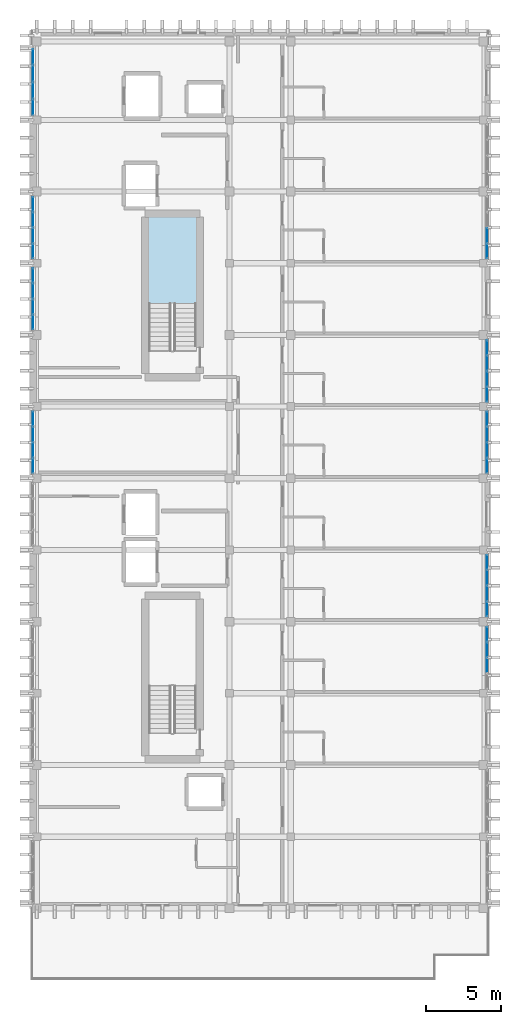
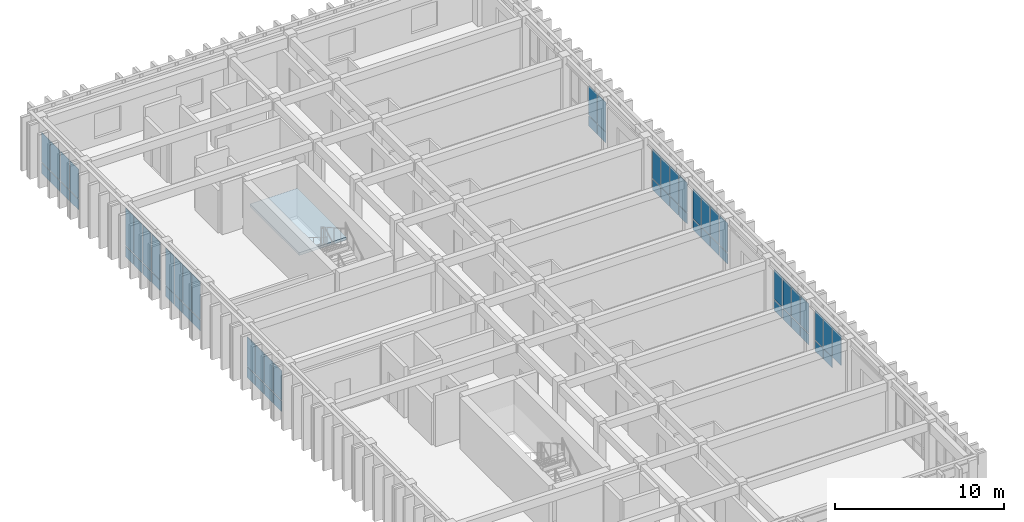
# One storey, part 38 of 49: 65 plates, 1 slab, 10 elements without a shape of their own.
"""IFC4 building model written with IfcOpenShell, lengths in metres."""

from ifc_helpers import new_model, si_unit, direction, frame, origin, origin_2d, place, context, subcontext, project, spatial, polyline, rectangle, outline, extrude, material, layer, layer_set, type_object, element, aggregate, save


model = new_model("IFC4")

# Units and contexts
model_context = context("Model", 3, precision=1e-05, world=origin(), true_north=direction((0.0, 1.0)))
body_context = subcontext(model_context, "Body", "Model", "MODEL_VIEW")
ifc_project = project(units=[si_unit("LENGTHUNIT", "METRE"), si_unit("AREAUNIT", "SQUARE_METRE"), si_unit("VOLUMEUNIT", "CUBIC_METRE"), si_unit("PLANEANGLEUNIT", "RADIAN"), si_unit("MASSUNIT", "GRAM", prefix="KILO")], contexts=[model_context])

# Site, building, storey
site_placement = place(None, origin())
site = spatial("IfcSite", under=ifc_project, at=site_placement, CompositionType="ELEMENT")
building_placement = place(site_placement, origin())
building = spatial("IfcBuilding", under=site, at=building_placement, Name="Nakhvara Creek Congress Hotel", CompositionType="ELEMENT")
storey_placement = place(building_placement, frame((0.0, 0.0, 46.5)))
storey = spatial("IfcBuildingStorey", under=building, at=storey_placement, Name="L11", CompositionType="ELEMENT", Elevation=46.5)

# Curtain wall, plates
ifc_material_1 = material(Name="Bronze-anodised aluminium AW-6063-T6 and double-silver low-E glass", Category="aluminium")
ifc_layer_1 = layer(ifc_material_1, 0.199951171875)
ifc_layer_set_1 = layer_set([ifc_layer_1], Name="Bronze-anodised aluminium AW-6063-T6 and double-silver low-E glass")
curtain_wall_type = type_object("IfcCurtainWallType", Name="CW-HTL-UNIT", PredefinedType="USERDEFINED", material=ifc_layer_set_1)
curtain_wall_1_placement = place(storey_placement, origin())
curtain_wall_1 = element("IfcCurtainWall", 1, at=curtain_wall_1_placement, inside=storey, type_object=curtain_wall_type, Name="Curtain Wall CW336", ObjectType="UNITISED", PredefinedType="USERDEFINED")
ifc_material_2 = material(Name="Double-silver solar-control low-E insulated glass", Category="glass")
plate_type_1 = type_object("IfcPlateType", Name="PNL-GLZ-120X250", PredefinedType="CURTAIN_PANEL", material=ifc_material_2)
plate_1_placement = place(storey_placement, frame((179.60009765625, 85.55126953125, 0.06494140625), z_axis=(0.0, 0.0, 1.0), x_axis=(0.0, -1.0, 0.0)))
plate_1 = element("IfcPlate", 2, at=plate_1_placement, type_object=plate_type_1, Name="CW336 panel 1.1", PredefinedType="CURTAIN_PANEL", context=body_context, shape_type="SweptSolid", body=[
    extrude(rectangle(XDim=0.95751953125, YDim=0.028076171875, at=origin_2d()), origin(), (0.0, 0.0, 1.0), 0.75244140625),
])
plate_2_placement = place(storey_placement, frame((179.60009765625, 85.55126953125, 0.882568359375), z_axis=(0.0, 0.0, 1.0), x_axis=(0.0, -1.0, 0.0)))
plate_2 = element("IfcPlate", 3, at=plate_2_placement, type_object=plate_type_1, Name="CW336 panel 1.2", PredefinedType="CURTAIN_PANEL", context=body_context, shape_type="SweptSolid", body=[
    extrude(rectangle(XDim=0.95751953125, YDim=0.028076171875, at=origin_2d()), origin(), (0.0, 0.0, 1.0), 2.12451171875),
])
plate_3_placement = place(storey_placement, frame((179.60009765625, 84.512451171875, 0.06494140625), z_axis=(0.0, 0.0, 1.0), x_axis=(0.0, -1.0, 0.0)))
plate_3 = element("IfcPlate", 4, at=plate_3_placement, type_object=plate_type_1, Name="CW336 panel 2.1", PredefinedType="CURTAIN_PANEL", context=body_context, shape_type="SweptSolid", body=[
    extrude(rectangle(XDim=0.989990234375, YDim=0.028076171875, at=origin_2d()), origin(), (0.0, 0.0, 1.0), 0.75244140625),
])
plate_4_placement = place(storey_placement, frame((179.60009765625, 84.512451171875, 0.882568359375), z_axis=(0.0, 0.0, 1.0), x_axis=(0.0, -1.0, 0.0)))
plate_4 = element("IfcPlate", 5, at=plate_4_placement, type_object=plate_type_1, Name="CW336 panel 2.2", PredefinedType="CURTAIN_PANEL", context=body_context, shape_type="SweptSolid", body=[
    extrude(rectangle(XDim=0.989990234375, YDim=0.028076171875, at=origin_2d()), origin(), (0.0, 0.0, 1.0), 2.12451171875),
])
plate_5_placement = place(storey_placement, frame((179.60009765625, 83.45751953125, 0.882568359375), z_axis=(0.0, 0.0, 1.0), x_axis=(0.0, -1.0, 0.0)))
plate_5 = element("IfcPlate", 6, at=plate_5_placement, type_object=plate_type_1, Name="CW336 panel 3.2", PredefinedType="CURTAIN_PANEL", context=body_context, shape_type="SweptSolid", body=[
    extrude(rectangle(XDim=0.989990234375, YDim=0.028076171875, at=origin_2d()), origin(), (0.0, 0.0, 1.0), 2.12451171875),
])
aggregate(curtain_wall_1, [plate_1, plate_2, plate_3, plate_4, plate_5])

curtain_wall_2_placement = place(storey_placement, origin())
curtain_wall_2 = element("IfcCurtainWall", 7, at=curtain_wall_2_placement, inside=storey, type_object=curtain_wall_type, Name="Curtain Wall CW338", ObjectType="UNITISED", PredefinedType="USERDEFINED")
plate_6_placement = place(storey_placement, frame((179.60009765625, 90.38134765625, 0.06494140625), z_axis=(0.0, 0.0, 1.0), x_axis=(0.0, -1.0, 0.0)))
plate_6 = element("IfcPlate", 8, at=plate_6_placement, type_object=plate_type_1, Name="CW338 panel 1.1", PredefinedType="CURTAIN_PANEL", context=body_context, shape_type="SweptSolid", body=[
    extrude(rectangle(XDim=0.95751953125, YDim=0.028076171875, at=origin_2d()), origin(), (0.0, 0.0, 1.0), 0.75244140625),
])
plate_7_placement = place(storey_placement, frame((179.60009765625, 90.38134765625, 0.882568359375), z_axis=(0.0, 0.0, 1.0), x_axis=(0.0, -1.0, 0.0)))
plate_7 = element("IfcPlate", 9, at=plate_7_placement, type_object=plate_type_1, Name="CW338 panel 1.2", PredefinedType="CURTAIN_PANEL", context=body_context, shape_type="SweptSolid", body=[
    extrude(rectangle(XDim=0.95751953125, YDim=0.028076171875, at=origin_2d()), origin(), (0.0, 0.0, 1.0), 2.12451171875),
])
plate_8_placement = place(storey_placement, frame((179.60009765625, 89.342529296875, 0.06494140625), z_axis=(0.0, 0.0, 1.0), x_axis=(0.0, -1.0, 0.0)))
plate_8 = element("IfcPlate", 10, at=plate_8_placement, type_object=plate_type_1, Name="CW338 panel 2.1", PredefinedType="CURTAIN_PANEL", context=body_context, shape_type="SweptSolid", body=[
    extrude(rectangle(XDim=0.989990234375, YDim=0.028076171875, at=origin_2d()), origin(), (0.0, 0.0, 1.0), 0.75244140625),
])
plate_9_placement = place(storey_placement, frame((179.60009765625, 89.342529296875, 0.882568359375), z_axis=(0.0, 0.0, 1.0), x_axis=(0.0, -1.0, 0.0)))
plate_9 = element("IfcPlate", 11, at=plate_9_placement, type_object=plate_type_1, Name="CW338 panel 2.2", PredefinedType="CURTAIN_PANEL", context=body_context, shape_type="SweptSolid", body=[
    extrude(rectangle(XDim=0.989990234375, YDim=0.028076171875, at=origin_2d()), origin(), (0.0, 0.0, 1.0), 2.12451171875),
])
plate_10_placement = place(storey_placement, frame((179.60009765625, 88.28759765625, 0.06494140625), z_axis=(0.0, 0.0, 1.0), x_axis=(0.0, -1.0, 0.0)))
plate_10 = element("IfcPlate", 12, at=plate_10_placement, type_object=plate_type_1, Name="CW338 panel 3.1", PredefinedType="CURTAIN_PANEL", context=body_context, shape_type="SweptSolid", body=[
    extrude(rectangle(XDim=0.989990234375, YDim=0.028076171875, at=origin_2d()), origin(), (0.0, 0.0, 1.0), 0.75244140625),
])
plate_11_placement = place(storey_placement, frame((179.60009765625, 88.28759765625, 0.882568359375), z_axis=(0.0, 0.0, 1.0), x_axis=(0.0, -1.0, 0.0)))
plate_11 = element("IfcPlate", 13, at=plate_11_placement, type_object=plate_type_1, Name="CW338 panel 3.2", PredefinedType="CURTAIN_PANEL", context=body_context, shape_type="SweptSolid", body=[
    extrude(rectangle(XDim=0.989990234375, YDim=0.028076171875, at=origin_2d()), origin(), (0.0, 0.0, 1.0), 2.12451171875),
])
plate_12_placement = place(storey_placement, frame((179.60009765625, 87.248779296875, 0.06494140625), z_axis=(0.0, 0.0, 1.0), x_axis=(0.0, -1.0, 0.0)))
plate_12 = element("IfcPlate", 14, at=plate_12_placement, type_object=plate_type_1, Name="CW338 panel 4.1", PredefinedType="CURTAIN_PANEL", context=body_context, shape_type="SweptSolid", body=[
    extrude(rectangle(XDim=0.95751953125, YDim=0.028076171875, at=origin_2d()), origin(), (0.0, 0.0, 1.0), 0.75244140625),
])
plate_13_placement = place(storey_placement, frame((179.60009765625, 87.248779296875, 0.882568359375), z_axis=(0.0, 0.0, 1.0), x_axis=(0.0, -1.0, 0.0)))
plate_13 = element("IfcPlate", 15, at=plate_13_placement, type_object=plate_type_1, Name="CW338 panel 4.2", PredefinedType="CURTAIN_PANEL", context=body_context, shape_type="SweptSolid", body=[
    extrude(rectangle(XDim=0.95751953125, YDim=0.028076171875, at=origin_2d()), origin(), (0.0, 0.0, 1.0), 2.12451171875),
])
aggregate(curtain_wall_2, [plate_6, plate_7, plate_8, plate_9, plate_10, plate_11, plate_12, plate_13])

curtain_wall_3_placement = place(storey_placement, origin())
curtain_wall_3 = element("IfcCurtainWall", 16, at=curtain_wall_3_placement, inside=storey, type_object=curtain_wall_type, Name="Curtain Wall CW340", ObjectType="UNITISED", PredefinedType="USERDEFINED")
plate_14_placement = place(storey_placement, frame((179.60009765625, 99.981201171875, 0.06494140625), z_axis=(0.0, 0.0, 1.0), x_axis=(0.0, -1.0, 0.0)))
plate_14 = element("IfcPlate", 17, at=plate_14_placement, type_object=plate_type_1, Name="CW340 panel 1.1", PredefinedType="CURTAIN_PANEL", context=body_context, shape_type="SweptSolid", body=[
    extrude(rectangle(XDim=0.95751953125, YDim=0.028076171875, at=origin_2d()), origin(), (0.0, 0.0, 1.0), 0.75244140625),
])
plate_15_placement = place(storey_placement, frame((179.60009765625, 99.981201171875, 0.882568359375), z_axis=(0.0, 0.0, 1.0), x_axis=(0.0, -1.0, 0.0)))
plate_15 = element("IfcPlate", 18, at=plate_15_placement, type_object=plate_type_1, Name="CW340 panel 1.2", PredefinedType="CURTAIN_PANEL", context=body_context, shape_type="SweptSolid", body=[
    extrude(rectangle(XDim=0.95751953125, YDim=0.028076171875, at=origin_2d()), origin(), (0.0, 0.0, 1.0), 2.12451171875),
])
plate_16_placement = place(storey_placement, frame((179.60009765625, 98.9423828125, 0.06494140625), z_axis=(0.0, 0.0, 1.0), x_axis=(0.0, -1.0, 0.0)))
plate_16 = element("IfcPlate", 19, at=plate_16_placement, type_object=plate_type_1, Name="CW340 panel 2.1", PredefinedType="CURTAIN_PANEL", context=body_context, shape_type="SweptSolid", body=[
    extrude(rectangle(XDim=0.989990234375, YDim=0.028076171875, at=origin_2d()), origin(), (0.0, 0.0, 1.0), 0.75244140625),
])
plate_17_placement = place(storey_placement, frame((179.60009765625, 98.9423828125, 0.882568359375), z_axis=(0.0, 0.0, 1.0), x_axis=(0.0, -1.0, 0.0)))
plate_17 = element("IfcPlate", 20, at=plate_17_placement, type_object=plate_type_1, Name="CW340 panel 2.2", PredefinedType="CURTAIN_PANEL", context=body_context, shape_type="SweptSolid", body=[
    extrude(rectangle(XDim=0.989990234375, YDim=0.028076171875, at=origin_2d()), origin(), (0.0, 0.0, 1.0), 2.12451171875),
])
plate_18_placement = place(storey_placement, frame((179.60009765625, 97.887451171875, 0.06494140625), z_axis=(0.0, 0.0, 1.0), x_axis=(0.0, -1.0, 0.0)))
plate_18 = element("IfcPlate", 21, at=plate_18_placement, type_object=plate_type_1, Name="CW340 panel 3.1", PredefinedType="CURTAIN_PANEL", context=body_context, shape_type="SweptSolid", body=[
    extrude(rectangle(XDim=0.989990234375, YDim=0.028076171875, at=origin_2d()), origin(), (0.0, 0.0, 1.0), 0.75244140625),
])
plate_19_placement = place(storey_placement, frame((179.60009765625, 97.887451171875, 0.882568359375), z_axis=(0.0, 0.0, 1.0), x_axis=(0.0, -1.0, 0.0)))
plate_19 = element("IfcPlate", 22, at=plate_19_placement, type_object=plate_type_1, Name="CW340 panel 3.2", PredefinedType="CURTAIN_PANEL", context=body_context, shape_type="SweptSolid", body=[
    extrude(rectangle(XDim=0.989990234375, YDim=0.028076171875, at=origin_2d()), origin(), (0.0, 0.0, 1.0), 2.12451171875),
])
plate_20_placement = place(storey_placement, frame((179.60009765625, 96.8486328125, 0.06494140625), z_axis=(0.0, 0.0, 1.0), x_axis=(0.0, -1.0, 0.0)))
plate_20 = element("IfcPlate", 23, at=plate_20_placement, type_object=plate_type_1, Name="CW340 panel 4.1", PredefinedType="CURTAIN_PANEL", context=body_context, shape_type="SweptSolid", body=[
    extrude(rectangle(XDim=0.95751953125, YDim=0.028076171875, at=origin_2d()), origin(), (0.0, 0.0, 1.0), 0.75244140625),
])
plate_21_placement = place(storey_placement, frame((179.60009765625, 96.8486328125, 0.882568359375), z_axis=(0.0, 0.0, 1.0), x_axis=(0.0, -1.0, 0.0)))
plate_21 = element("IfcPlate", 24, at=plate_21_placement, type_object=plate_type_1, Name="CW340 panel 4.2", PredefinedType="CURTAIN_PANEL", context=body_context, shape_type="SweptSolid", body=[
    extrude(rectangle(XDim=0.95751953125, YDim=0.028076171875, at=origin_2d()), origin(), (0.0, 0.0, 1.0), 2.12451171875),
])
aggregate(curtain_wall_3, [plate_14, plate_15, plate_16, plate_17, plate_18, plate_19, plate_20, plate_21])

curtain_wall_4_placement = place(storey_placement, origin())
curtain_wall_4 = element("IfcCurtainWall", 25, at=curtain_wall_4_placement, inside=storey, type_object=curtain_wall_type, Name="Curtain Wall CW341", ObjectType="UNITISED", PredefinedType="USERDEFINED")
plate_22_placement = place(storey_placement, frame((149.199951171875, 96.8486328125, 0.06494140625), z_axis=(0.0, 0.0, 1.0), x_axis=(0.0, 1.0, 0.0)))
plate_22 = element("IfcPlate", 26, at=plate_22_placement, type_object=plate_type_1, Name="CW341 panel 1.1", PredefinedType="CURTAIN_PANEL", context=body_context, shape_type="SweptSolid", body=[
    extrude(rectangle(XDim=0.95751953125, YDim=0.028076171875, at=origin_2d()), origin(), (0.0, 0.0, 1.0), 0.75244140625),
])
plate_23_placement = place(storey_placement, frame((149.199951171875, 96.8486328125, 0.882568359375), z_axis=(0.0, 0.0, 1.0), x_axis=(0.0, 1.0, 0.0)))
plate_23 = element("IfcPlate", 27, at=plate_23_placement, type_object=plate_type_1, Name="CW341 panel 1.2", PredefinedType="CURTAIN_PANEL", context=body_context, shape_type="SweptSolid", body=[
    extrude(rectangle(XDim=0.95751953125, YDim=0.028076171875, at=origin_2d()), origin(), (0.0, 0.0, 1.0), 2.12451171875),
])
plate_24_placement = place(storey_placement, frame((149.199951171875, 97.887451171875, 0.06494140625), z_axis=(0.0, 0.0, 1.0), x_axis=(0.0, 1.0, 0.0)))
plate_24 = element("IfcPlate", 28, at=plate_24_placement, type_object=plate_type_1, Name="CW341 panel 2.1", PredefinedType="CURTAIN_PANEL", context=body_context, shape_type="SweptSolid", body=[
    extrude(rectangle(XDim=0.989990234375, YDim=0.028076171875, at=origin_2d()), origin(), (0.0, 0.0, 1.0), 0.75244140625),
])
plate_25_placement = place(storey_placement, frame((149.199951171875, 97.887451171875, 0.882568359375), z_axis=(0.0, 0.0, 1.0), x_axis=(0.0, 1.0, 0.0)))
plate_25 = element("IfcPlate", 29, at=plate_25_placement, type_object=plate_type_1, Name="CW341 panel 2.2", PredefinedType="CURTAIN_PANEL", context=body_context, shape_type="SweptSolid", body=[
    extrude(rectangle(XDim=0.989990234375, YDim=0.028076171875, at=origin_2d()), origin(), (0.0, 0.0, 1.0), 2.12451171875),
])
plate_26_placement = place(storey_placement, frame((149.199951171875, 98.9423828125, 0.06494140625), z_axis=(0.0, 0.0, 1.0), x_axis=(0.0, 1.0, 0.0)))
plate_26 = element("IfcPlate", 30, at=plate_26_placement, type_object=plate_type_1, Name="CW341 panel 3.1", PredefinedType="CURTAIN_PANEL", context=body_context, shape_type="SweptSolid", body=[
    extrude(rectangle(XDim=0.989990234375, YDim=0.028076171875, at=origin_2d()), origin(), (0.0, 0.0, 1.0), 0.75244140625),
])
plate_27_placement = place(storey_placement, frame((149.199951171875, 98.9423828125, 0.882568359375), z_axis=(0.0, 0.0, 1.0), x_axis=(0.0, 1.0, 0.0)))
plate_27 = element("IfcPlate", 31, at=plate_27_placement, type_object=plate_type_1, Name="CW341 panel 3.2", PredefinedType="CURTAIN_PANEL", context=body_context, shape_type="SweptSolid", body=[
    extrude(rectangle(XDim=0.989990234375, YDim=0.028076171875, at=origin_2d()), origin(), (0.0, 0.0, 1.0), 2.12451171875),
])
plate_28_placement = place(storey_placement, frame((149.199951171875, 99.981201171875, 0.06494140625), z_axis=(0.0, 0.0, 1.0), x_axis=(0.0, 1.0, 0.0)))
plate_28 = element("IfcPlate", 32, at=plate_28_placement, type_object=plate_type_1, Name="CW341 panel 4.1", PredefinedType="CURTAIN_PANEL", context=body_context, shape_type="SweptSolid", body=[
    extrude(rectangle(XDim=0.95751953125, YDim=0.028076171875, at=origin_2d()), origin(), (0.0, 0.0, 1.0), 0.75244140625),
])
plate_29_placement = place(storey_placement, frame((149.199951171875, 99.981201171875, 0.882568359375), z_axis=(0.0, 0.0, 1.0), x_axis=(0.0, 1.0, 0.0)))
plate_29 = element("IfcPlate", 33, at=plate_29_placement, type_object=plate_type_1, Name="CW341 panel 4.2", PredefinedType="CURTAIN_PANEL", context=body_context, shape_type="SweptSolid", body=[
    extrude(rectangle(XDim=0.95751953125, YDim=0.028076171875, at=origin_2d()), origin(), (0.0, 0.0, 1.0), 2.12451171875),
])
aggregate(curtain_wall_4, [plate_22, plate_23, plate_24, plate_25, plate_26, plate_27, plate_28, plate_29])

curtain_wall_5_placement = place(storey_placement, origin())
curtain_wall_5 = element("IfcCurtainWall", 34, at=curtain_wall_5_placement, inside=storey, type_object=curtain_wall_type, Name="Curtain Wall CW343", ObjectType="UNITISED", PredefinedType="USERDEFINED")
plate_30_placement = place(storey_placement, frame((149.199951171875, 106.44873046875, 0.06494140625), z_axis=(0.0, 0.0, 1.0), x_axis=(0.0, 1.0, 0.0)))
plate_30 = element("IfcPlate", 35, at=plate_30_placement, type_object=plate_type_1, Name="CW343 panel 1.1", PredefinedType="CURTAIN_PANEL", context=body_context, shape_type="SweptSolid", body=[
    extrude(rectangle(XDim=0.95751953125, YDim=0.028076171875, at=origin_2d()), origin(), (0.0, 0.0, 1.0), 0.75244140625),
])
plate_31_placement = place(storey_placement, frame((149.199951171875, 106.44873046875, 0.88232421875), z_axis=(0.0, 0.0, 1.0), x_axis=(0.0, 1.0, 0.0)))
plate_31 = element("IfcPlate", 36, at=plate_31_placement, type_object=plate_type_1, Name="CW343 panel 1.2", PredefinedType="CURTAIN_PANEL", context=body_context, shape_type="SweptSolid", body=[
    extrude(rectangle(XDim=0.95751953125, YDim=0.028076171875, at=origin_2d()), origin(), (0.0, 0.0, 1.0), 2.702392578125),
])
plate_32_placement = place(storey_placement, frame((149.199951171875, 107.487548828125, 0.06494140625), z_axis=(0.0, 0.0, 1.0), x_axis=(0.0, 1.0, 0.0)))
plate_32 = element("IfcPlate", 37, at=plate_32_placement, type_object=plate_type_1, Name="CW343 panel 2.1", PredefinedType="CURTAIN_PANEL", context=body_context, shape_type="SweptSolid", body=[
    extrude(rectangle(XDim=0.989990234375, YDim=0.028076171875, at=origin_2d()), origin(), (0.0, 0.0, 1.0), 0.75244140625),
])
plate_33_placement = place(storey_placement, frame((149.199951171875, 107.487548828125, 0.88232421875), z_axis=(0.0, 0.0, 1.0), x_axis=(0.0, 1.0, 0.0)))
plate_33 = element("IfcPlate", 38, at=plate_33_placement, type_object=plate_type_1, Name="CW343 panel 2.2", PredefinedType="CURTAIN_PANEL", context=body_context, shape_type="SweptSolid", body=[
    extrude(rectangle(XDim=0.989990234375, YDim=0.028076171875, at=origin_2d()), origin(), (0.0, 0.0, 1.0), 2.702392578125),
])
plate_34_placement = place(storey_placement, frame((149.199951171875, 108.54248046875, 0.06494140625), z_axis=(0.0, 0.0, 1.0), x_axis=(0.0, 1.0, 0.0)))
plate_34 = element("IfcPlate", 39, at=plate_34_placement, type_object=plate_type_1, Name="CW343 panel 3.1", PredefinedType="CURTAIN_PANEL", context=body_context, shape_type="SweptSolid", body=[
    extrude(rectangle(XDim=0.989990234375, YDim=0.028076171875, at=origin_2d()), origin(), (0.0, 0.0, 1.0), 0.75244140625),
])
plate_35_placement = place(storey_placement, frame((149.199951171875, 108.54248046875, 0.88232421875), z_axis=(0.0, 0.0, 1.0), x_axis=(0.0, 1.0, 0.0)))
plate_35 = element("IfcPlate", 40, at=plate_35_placement, type_object=plate_type_1, Name="CW343 panel 3.2", PredefinedType="CURTAIN_PANEL", context=body_context, shape_type="SweptSolid", body=[
    extrude(rectangle(XDim=0.989990234375, YDim=0.028076171875, at=origin_2d()), origin(), (0.0, 0.0, 1.0), 2.702392578125),
])
plate_36_placement = place(storey_placement, frame((149.199951171875, 109.581298828125, 0.06494140625), z_axis=(0.0, 0.0, 1.0), x_axis=(0.0, 1.0, 0.0)))
plate_36 = element("IfcPlate", 41, at=plate_36_placement, type_object=plate_type_1, Name="CW343 panel 4.1", PredefinedType="CURTAIN_PANEL", context=body_context, shape_type="SweptSolid", body=[
    extrude(rectangle(XDim=0.95751953125, YDim=0.028076171875, at=origin_2d()), origin(), (0.0, 0.0, 1.0), 0.75244140625),
])
plate_37_placement = place(storey_placement, frame((149.199951171875, 109.581298828125, 0.88232421875), z_axis=(0.0, 0.0, 1.0), x_axis=(0.0, 1.0, 0.0)))
plate_37 = element("IfcPlate", 42, at=plate_37_placement, type_object=plate_type_1, Name="CW343 panel 4.2", PredefinedType="CURTAIN_PANEL", context=body_context, shape_type="SweptSolid", body=[
    extrude(rectangle(XDim=0.95751953125, YDim=0.028076171875, at=origin_2d()), origin(), (0.0, 0.0, 1.0), 2.702392578125),
])
aggregate(curtain_wall_5, [plate_30, plate_31, plate_32, plate_33, plate_34, plate_35, plate_36, plate_37])

curtain_wall_6_placement = place(storey_placement, origin())
curtain_wall_6 = element("IfcCurtainWall", 43, at=curtain_wall_6_placement, inside=storey, type_object=curtain_wall_type, Name="Curtain Wall CW344", ObjectType="UNITISED", PredefinedType="USERDEFINED")
plate_38_placement = place(storey_placement, frame((179.60009765625, 112.257568359375, 0.06494140625), z_axis=(0.0, 0.0, 1.0), x_axis=(0.0, -1.0, 0.0)))
plate_38 = element("IfcPlate", 44, at=plate_38_placement, type_object=plate_type_1, Name="CW344 panel 3.1", PredefinedType="CURTAIN_PANEL", context=body_context, shape_type="SweptSolid", body=[
    extrude(rectangle(XDim=0.989990234375, YDim=0.028076171875, at=origin_2d()), origin(), (0.0, 0.0, 1.0), 0.75244140625),
])
plate_39_placement = place(storey_placement, frame((179.60009765625, 112.257568359375, 0.882568359375), z_axis=(0.0, 0.0, 1.0), x_axis=(0.0, -1.0, 0.0)))
plate_39 = element("IfcPlate", 45, at=plate_39_placement, type_object=plate_type_1, Name="CW344 panel 3.2", PredefinedType="CURTAIN_PANEL", context=body_context, shape_type="SweptSolid", body=[
    extrude(rectangle(XDim=0.989990234375, YDim=0.028076171875, at=origin_2d()), origin(), (0.0, 0.0, 1.0), 2.12451171875),
])
plate_40_placement = place(storey_placement, frame((179.60009765625, 111.21875, 0.06494140625), z_axis=(0.0, 0.0, 1.0), x_axis=(0.0, -1.0, 0.0)))
plate_40 = element("IfcPlate", 46, at=plate_40_placement, type_object=plate_type_1, Name="CW344 panel 4.1", PredefinedType="CURTAIN_PANEL", context=body_context, shape_type="SweptSolid", body=[
    extrude(rectangle(XDim=0.95751953125, YDim=0.028076171875, at=origin_2d()), origin(), (0.0, 0.0, 1.0), 0.75244140625),
])
plate_41_placement = place(storey_placement, frame((179.60009765625, 111.21875, 0.882568359375), z_axis=(0.0, 0.0, 1.0), x_axis=(0.0, -1.0, 0.0)))
plate_41 = element("IfcPlate", 47, at=plate_41_placement, type_object=plate_type_1, Name="CW344 panel 4.2", PredefinedType="CURTAIN_PANEL", context=body_context, shape_type="SweptSolid", body=[
    extrude(rectangle(XDim=0.95751953125, YDim=0.028076171875, at=origin_2d()), origin(), (0.0, 0.0, 1.0), 2.12451171875),
])
aggregate(curtain_wall_6, [plate_38, plate_39, plate_40, plate_41])

curtain_wall_7_placement = place(storey_placement, origin())
curtain_wall_7 = element("IfcCurtainWall", 48, at=curtain_wall_7_placement, inside=storey, type_object=curtain_wall_type, Name="Curtain Wall CW345", ObjectType="UNITISED", PredefinedType="USERDEFINED")
plate_42_placement = place(storey_placement, frame((149.199951171875, 111.21875, 0.06494140625), z_axis=(0.0, 0.0, 1.0), x_axis=(0.0, 1.0, 0.0)))
plate_42 = element("IfcPlate", 49, at=plate_42_placement, type_object=plate_type_1, Name="CW345 panel 1.1", PredefinedType="CURTAIN_PANEL", context=body_context, shape_type="SweptSolid", body=[
    extrude(rectangle(XDim=0.95751953125, YDim=0.028076171875, at=origin_2d()), origin(), (0.0, 0.0, 1.0), 0.75244140625),
])
plate_43_placement = place(storey_placement, frame((149.199951171875, 111.21875, 0.88232421875), z_axis=(0.0, 0.0, 1.0), x_axis=(0.0, 1.0, 0.0)))
plate_43 = element("IfcPlate", 50, at=plate_43_placement, type_object=plate_type_1, Name="CW345 panel 1.2", PredefinedType="CURTAIN_PANEL", context=body_context, shape_type="SweptSolid", body=[
    extrude(rectangle(XDim=0.95751953125, YDim=0.028076171875, at=origin_2d()), origin(), (0.0, 0.0, 1.0), 2.702392578125),
])
plate_44_placement = place(storey_placement, frame((149.199951171875, 112.257568359375, 0.06494140625), z_axis=(0.0, 0.0, 1.0), x_axis=(0.0, 1.0, 0.0)))
plate_44 = element("IfcPlate", 51, at=plate_44_placement, type_object=plate_type_1, Name="CW345 panel 2.1", PredefinedType="CURTAIN_PANEL", context=body_context, shape_type="SweptSolid", body=[
    extrude(rectangle(XDim=0.989990234375, YDim=0.028076171875, at=origin_2d()), origin(), (0.0, 0.0, 1.0), 0.75244140625),
])
plate_45_placement = place(storey_placement, frame((149.199951171875, 112.257568359375, 0.88232421875), z_axis=(0.0, 0.0, 1.0), x_axis=(0.0, 1.0, 0.0)))
plate_45 = element("IfcPlate", 52, at=plate_45_placement, type_object=plate_type_1, Name="CW345 panel 2.2", PredefinedType="CURTAIN_PANEL", context=body_context, shape_type="SweptSolid", body=[
    extrude(rectangle(XDim=0.989990234375, YDim=0.028076171875, at=origin_2d()), origin(), (0.0, 0.0, 1.0), 2.702392578125),
])
plate_46_placement = place(storey_placement, frame((149.199951171875, 113.3125, 0.06494140625), z_axis=(0.0, 0.0, 1.0), x_axis=(0.0, 1.0, 0.0)))
plate_46 = element("IfcPlate", 53, at=plate_46_placement, type_object=plate_type_1, Name="CW345 panel 3.1", PredefinedType="CURTAIN_PANEL", context=body_context, shape_type="SweptSolid", body=[
    extrude(rectangle(XDim=0.989990234375, YDim=0.028076171875, at=origin_2d()), origin(), (0.0, 0.0, 1.0), 0.75244140625),
])
plate_47_placement = place(storey_placement, frame((149.199951171875, 113.3125, 0.88232421875), z_axis=(0.0, 0.0, 1.0), x_axis=(0.0, 1.0, 0.0)))
plate_47 = element("IfcPlate", 54, at=plate_47_placement, type_object=plate_type_1, Name="CW345 panel 3.2", PredefinedType="CURTAIN_PANEL", context=body_context, shape_type="SweptSolid", body=[
    extrude(rectangle(XDim=0.989990234375, YDim=0.028076171875, at=origin_2d()), origin(), (0.0, 0.0, 1.0), 2.702392578125),
])
plate_48_placement = place(storey_placement, frame((149.199951171875, 114.351318359375, 0.06494140625), z_axis=(0.0, 0.0, 1.0), x_axis=(0.0, 1.0, 0.0)))
plate_48 = element("IfcPlate", 55, at=plate_48_placement, type_object=plate_type_1, Name="CW345 panel 4.1", PredefinedType="CURTAIN_PANEL", context=body_context, shape_type="SweptSolid", body=[
    extrude(rectangle(XDim=0.95751953125, YDim=0.028076171875, at=origin_2d()), origin(), (0.0, 0.0, 1.0), 0.75244140625),
])
plate_49_placement = place(storey_placement, frame((149.199951171875, 114.351318359375, 0.88232421875), z_axis=(0.0, 0.0, 1.0), x_axis=(0.0, 1.0, 0.0)))
plate_49 = element("IfcPlate", 56, at=plate_49_placement, type_object=plate_type_1, Name="CW345 panel 4.2", PredefinedType="CURTAIN_PANEL", context=body_context, shape_type="SweptSolid", body=[
    extrude(rectangle(XDim=0.95751953125, YDim=0.028076171875, at=origin_2d()), origin(), (0.0, 0.0, 1.0), 2.702392578125),
])
aggregate(curtain_wall_7, [plate_42, plate_43, plate_44, plate_45, plate_46, plate_47, plate_48, plate_49])

curtain_wall_8_placement = place(storey_placement, origin())
curtain_wall_8 = element("IfcCurtainWall", 57, at=curtain_wall_8_placement, inside=storey, type_object=curtain_wall_type, Name="Curtain Wall CW347", ObjectType="UNITISED", PredefinedType="USERDEFINED")
plate_50_placement = place(storey_placement, frame((149.199951171875, 120.85693359375, 0.06494140625), z_axis=(0.0, 0.0, 1.0), x_axis=(0.0, 1.0, 0.0)))
plate_50 = element("IfcPlate", 58, at=plate_50_placement, type_object=plate_type_1, Name="CW347 panel 1.1", PredefinedType="CURTAIN_PANEL", context=body_context, shape_type="SweptSolid", body=[
    extrude(rectangle(XDim=1.03369140625, YDim=0.028076171875, at=origin_2d()), origin(), (0.0, 0.0, 1.0), 0.75244140625),
])
plate_51_placement = place(storey_placement, frame((149.199951171875, 120.85693359375, 0.882568359375), z_axis=(0.0, 0.0, 1.0), x_axis=(0.0, 1.0, 0.0)))
plate_51 = element("IfcPlate", 59, at=plate_51_placement, type_object=plate_type_1, Name="CW347 panel 1.2", PredefinedType="CURTAIN_PANEL", context=body_context, shape_type="SweptSolid", body=[
    extrude(rectangle(XDim=1.03369140625, YDim=0.028076171875, at=origin_2d()), origin(), (0.0, 0.0, 1.0), 2.12451171875),
])
plate_52_placement = place(storey_placement, frame((149.199951171875, 121.971923828125, 0.06494140625), z_axis=(0.0, 0.0, 1.0), x_axis=(0.0, 1.0, 0.0)))
plate_52 = element("IfcPlate", 60, at=plate_52_placement, type_object=plate_type_1, Name="CW347 panel 2.1", PredefinedType="CURTAIN_PANEL", context=body_context, shape_type="SweptSolid", body=[
    extrude(rectangle(XDim=1.066162109375, YDim=0.028076171875, at=origin_2d()), origin(), (0.0, 0.0, 1.0), 0.75244140625),
])
plate_53_placement = place(storey_placement, frame((149.199951171875, 121.971923828125, 0.882568359375), z_axis=(0.0, 0.0, 1.0), x_axis=(0.0, 1.0, 0.0)))
plate_53 = element("IfcPlate", 61, at=plate_53_placement, type_object=plate_type_1, Name="CW347 panel 2.2", PredefinedType="CURTAIN_PANEL", context=body_context, shape_type="SweptSolid", body=[
    extrude(rectangle(XDim=1.066162109375, YDim=0.028076171875, at=origin_2d()), origin(), (0.0, 0.0, 1.0), 2.12451171875),
])
plate_54_placement = place(storey_placement, frame((149.199951171875, 123.10302734375, 0.06494140625), z_axis=(0.0, 0.0, 1.0), x_axis=(0.0, 1.0, 0.0)))
plate_54 = element("IfcPlate", 62, at=plate_54_placement, type_object=plate_type_1, Name="CW347 panel 3.1", PredefinedType="CURTAIN_PANEL", context=body_context, shape_type="SweptSolid", body=[
    extrude(rectangle(XDim=1.066162109375, YDim=0.028076171875, at=origin_2d()), origin(), (0.0, 0.0, 1.0), 0.75244140625),
])
plate_55_placement = place(storey_placement, frame((149.199951171875, 123.10302734375, 0.882568359375), z_axis=(0.0, 0.0, 1.0), x_axis=(0.0, 1.0, 0.0)))
plate_55 = element("IfcPlate", 63, at=plate_55_placement, type_object=plate_type_1, Name="CW347 panel 3.2", PredefinedType="CURTAIN_PANEL", context=body_context, shape_type="SweptSolid", body=[
    extrude(rectangle(XDim=1.066162109375, YDim=0.028076171875, at=origin_2d()), origin(), (0.0, 0.0, 1.0), 2.12451171875),
])
plate_56_placement = place(storey_placement, frame((149.199951171875, 124.218017578125, 0.06494140625), z_axis=(0.0, 0.0, 1.0), x_axis=(0.0, 1.0, 0.0)))
plate_56 = element("IfcPlate", 64, at=plate_56_placement, type_object=plate_type_1, Name="CW347 panel 4.1", PredefinedType="CURTAIN_PANEL", context=body_context, shape_type="SweptSolid", body=[
    extrude(rectangle(XDim=1.03369140625, YDim=0.028076171875, at=origin_2d()), origin(), (0.0, 0.0, 1.0), 0.75244140625),
])
plate_57_placement = place(storey_placement, frame((149.199951171875, 124.218017578125, 0.882568359375), z_axis=(0.0, 0.0, 1.0), x_axis=(0.0, 1.0, 0.0)))
plate_57 = element("IfcPlate", 65, at=plate_57_placement, type_object=plate_type_1, Name="CW347 panel 4.2", PredefinedType="CURTAIN_PANEL", context=body_context, shape_type="SweptSolid", body=[
    extrude(rectangle(XDim=1.03369140625, YDim=0.028076171875, at=origin_2d()), origin(), (0.0, 0.0, 1.0), 2.12451171875),
])
aggregate(curtain_wall_8, [plate_50, plate_51, plate_52, plate_53, plate_54, plate_55, plate_56, plate_57])

curtain_wall_9_placement = place(storey_placement, origin())
curtain_wall_9 = element("IfcCurtainWall", 66, at=curtain_wall_9_placement, inside=storey, type_object=curtain_wall_type, Name="Curtain Wall CW342", ObjectType="UNITISED", PredefinedType="USERDEFINED")
ifc_material_3 = material(Name="Back-insulated bronze spandrel glass panel", Category="glass")
plate_type_2 = type_object("IfcPlateType", Name="PNL-SPN-120X080", PredefinedType="CURTAIN_PANEL", material=ifc_material_3)
plate_58_placement = place(storey_placement, frame((179.60009765625, 104.751220703125, 0.06494140625), z_axis=(0.0, 0.0, 1.0), x_axis=(0.0, -1.0, 0.0)))
plate_58 = element("IfcPlate", 67, at=plate_58_placement, type_object=plate_type_2, Name="CW342 panel 1.1", PredefinedType="CURTAIN_PANEL", context=body_context, shape_type="SweptSolid", body=[
    extrude(rectangle(XDim=0.95751953125, YDim=0.0419921875, at=origin_2d()), origin(), (0.0, 0.0, 1.0), 0.75244140625),
])
plate_59_placement = place(storey_placement, frame((179.60009765625, 104.751220703125, 0.882568359375), z_axis=(0.0, 0.0, 1.0), x_axis=(0.0, -1.0, 0.0)))
plate_59 = element("IfcPlate", 68, at=plate_59_placement, type_object=plate_type_2, Name="CW342 panel 1.2", PredefinedType="CURTAIN_PANEL", context=body_context, shape_type="SweptSolid", body=[
    extrude(rectangle(XDim=0.95751953125, YDim=0.0419921875, at=origin_2d()), origin(), (0.0, 0.0, 1.0), 2.12451171875),
])
plate_60_placement = place(storey_placement, frame((179.60009765625, 103.71240234375, 0.06494140625), z_axis=(0.0, 0.0, 1.0), x_axis=(0.0, -1.0, 0.0)))
plate_60 = element("IfcPlate", 69, at=plate_60_placement, type_object=plate_type_2, Name="CW342 panel 2.1", PredefinedType="CURTAIN_PANEL", context=body_context, shape_type="SweptSolid", body=[
    extrude(rectangle(XDim=0.989990234375, YDim=0.0419921875, at=origin_2d()), origin(), (0.0, 0.0, 1.0), 0.75244140625),
])
plate_61_placement = place(storey_placement, frame((179.60009765625, 103.71240234375, 0.882568359375), z_axis=(0.0, 0.0, 1.0), x_axis=(0.0, -1.0, 0.0)))
plate_61 = element("IfcPlate", 70, at=plate_61_placement, type_object=plate_type_2, Name="CW342 panel 2.2", PredefinedType="CURTAIN_PANEL", context=body_context, shape_type="SweptSolid", body=[
    extrude(rectangle(XDim=0.989990234375, YDim=0.0419921875, at=origin_2d()), origin(), (0.0, 0.0, 1.0), 2.12451171875),
])
plate_62_placement = place(storey_placement, frame((179.60009765625, 102.657470703125, 0.06494140625), z_axis=(0.0, 0.0, 1.0), x_axis=(0.0, -1.0, 0.0)))
plate_62 = element("IfcPlate", 71, at=plate_62_placement, type_object=plate_type_2, Name="CW342 panel 3.1", PredefinedType="CURTAIN_PANEL", context=body_context, shape_type="SweptSolid", body=[
    extrude(rectangle(XDim=0.989990234375, YDim=0.0419921875, at=origin_2d()), origin(), (0.0, 0.0, 1.0), 0.75244140625),
])
plate_63_placement = place(storey_placement, frame((179.60009765625, 102.657470703125, 0.882568359375), z_axis=(0.0, 0.0, 1.0), x_axis=(0.0, -1.0, 0.0)))
plate_63 = element("IfcPlate", 72, at=plate_63_placement, type_object=plate_type_2, Name="CW342 panel 3.2", PredefinedType="CURTAIN_PANEL", context=body_context, shape_type="SweptSolid", body=[
    extrude(rectangle(XDim=0.989990234375, YDim=0.0419921875, at=origin_2d()), origin(), (0.0, 0.0, 1.0), 2.12451171875),
])
plate_64_placement = place(storey_placement, frame((179.60009765625, 101.61865234375, 0.06494140625), z_axis=(0.0, 0.0, 1.0), x_axis=(0.0, -1.0, 0.0)))
plate_64 = element("IfcPlate", 73, at=plate_64_placement, type_object=plate_type_2, Name="CW342 panel 4.1", PredefinedType="CURTAIN_PANEL", context=body_context, shape_type="SweptSolid", body=[
    extrude(rectangle(XDim=0.95751953125, YDim=0.0419921875, at=origin_2d()), origin(), (0.0, 0.0, 1.0), 0.75244140625),
])
plate_65_placement = place(storey_placement, frame((179.60009765625, 101.61865234375, 0.882568359375), z_axis=(0.0, 0.0, 1.0), x_axis=(0.0, -1.0, 0.0)))
plate_65 = element("IfcPlate", 74, at=plate_65_placement, type_object=plate_type_2, Name="CW342 panel 4.2", PredefinedType="CURTAIN_PANEL", context=body_context, shape_type="SweptSolid", body=[
    extrude(rectangle(XDim=0.95751953125, YDim=0.0419921875, at=origin_2d()), origin(), (0.0, 0.0, 1.0), 2.12451171875),
])
aggregate(curtain_wall_9, [plate_58, plate_59, plate_60, plate_61, plate_62, plate_63, plate_64, plate_65])

# Stair, slab
ifc_material_4 = material(Name="Concrete C40/50", Category="concrete")
stair_type = type_object("IfcStairType", Name="ST-CORE-160", PredefinedType="HALF_TURN_STAIR", material=ifc_material_4)
stair_placement = place(storey_placement, origin())
stair = element("IfcStair", 75, at=stair_placement, inside=storey, type_object=stair_type, Name="L11 Protected Exit Stair ST02", PredefinedType="HALF_TURN_STAIR")
ifc_layer_2 = layer(ifc_material_4, 0.199951171875)
ifc_layer_set_2 = layer_set([ifc_layer_2], Name="Concrete C40/50")
slab_type = type_object("IfcSlabType", Name="SL-LAND-200", PredefinedType="LANDING", material=ifc_layer_set_2)
slab_placement = place(storey_placement, frame((0.0, 0.0, 1.75)))
slab = element("IfcSlab", 76, at=slab_placement, type_object=slab_type, Name="ST02 landing 1", PredefinedType="LANDING", context=body_context, shape_type="SweptSolid", body=[
    extrude(outline(polyline([(160.14990234375, 107.68994140625), (160.14990234375, 113.5), (156.919921875, 113.5), (156.919921875, 107.68994140625), (160.14990234375, 107.68994140625)])), origin(), (0.0, 0.0, 1.0), 0.199951171875),
])
aggregate(stair, [slab])

save(model, "model.ifc")
